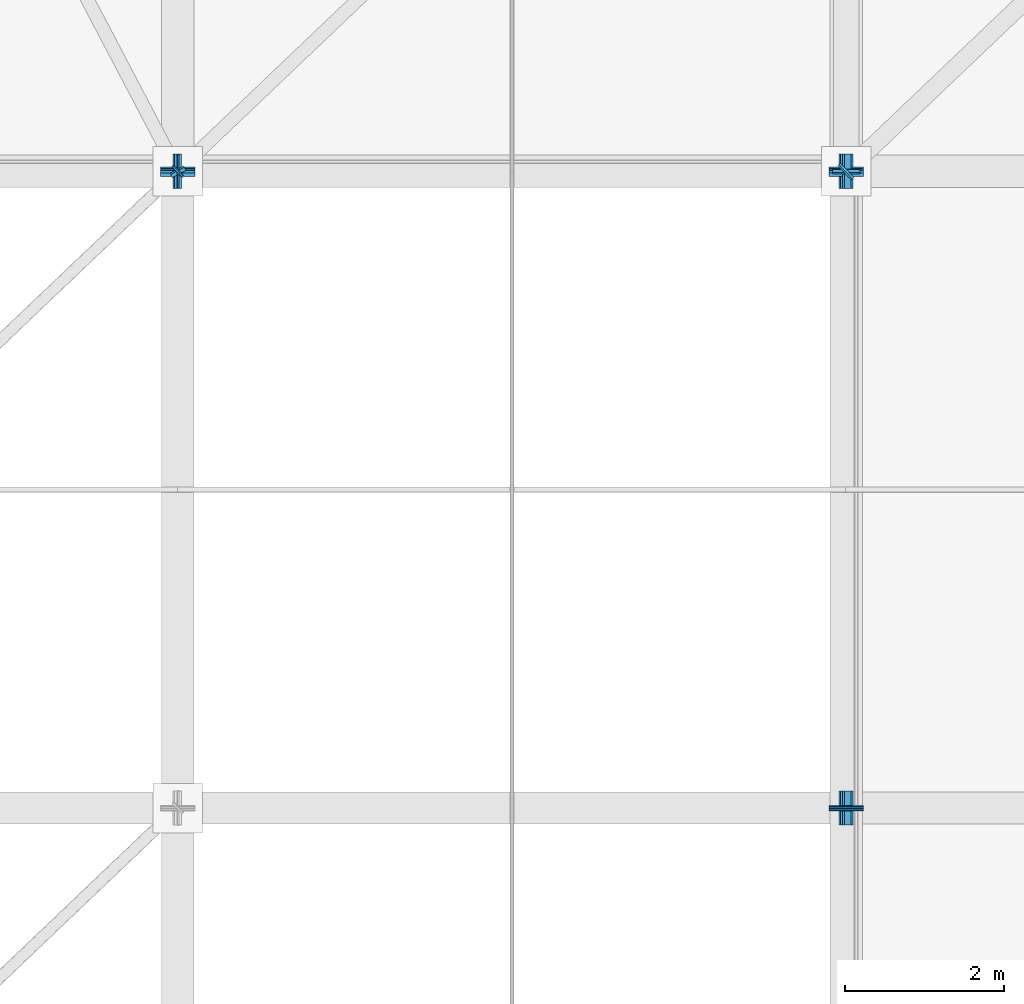
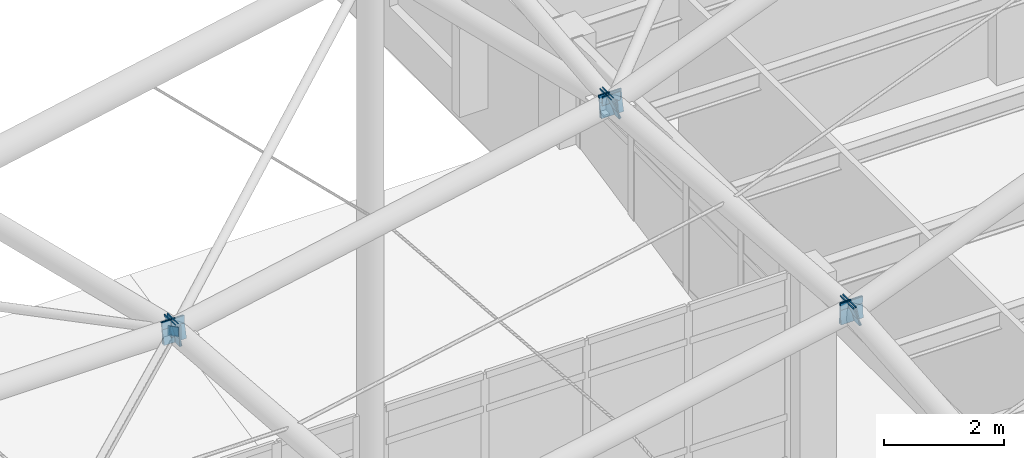
# One storey, part 110 of 138: 17 discrete accessories.
"""IFC4 building model written with IfcOpenShell, lengths in metres."""

from ifc_helpers import new_model, si_unit, direction, frame, origin, origin_2d, place, context, subcontext, project, spatial, rectangle, extrude, material, layer, layer_set, type_object, element, save


model = new_model("IFC4")

# Units and contexts
model_context = context("Model", 3, precision=1e-05, world=origin(), true_north=direction((0.0, 1.0)))
body_context = subcontext(model_context, "Body", "Model", "MODEL_VIEW")
ifc_project = project(units=[si_unit("LENGTHUNIT", "METRE"), si_unit("AREAUNIT", "SQUARE_METRE"), si_unit("VOLUMEUNIT", "CUBIC_METRE"), si_unit("PLANEANGLEUNIT", "RADIAN"), si_unit("MASSUNIT", "GRAM", prefix="KILO")], contexts=[model_context])

# Site, building, storey
site_placement = place(None, origin())
site = spatial("IfcSite", under=ifc_project, at=site_placement, CompositionType="ELEMENT")
building_placement = place(site_placement, origin())
building = spatial("IfcBuilding", under=site, at=building_placement, Name="Kranzveld Transit Interchange", CompositionType="ELEMENT")
storey_placement = place(building_placement, frame((0.0, 0.0, 5.43994140625)))
storey = spatial("IfcBuildingStorey", under=building, at=storey_placement, Name="L01", CompositionType="ELEMENT", Elevation=5.43994140625)

# Discrete accessories
ifc_material = material(Name="Steel S355JR", Category="steel")
ifc_layer = layer(ifc_material, 0.02001953125)
ifc_layer_set = layer_set([ifc_layer], Name="Steel S355JR")
discrete_accessory_type = type_object("IfcDiscreteAccessoryType", Name="Hollow Section End Cap Bracket 20 S355JR", PredefinedType="BRACKET", material=ifc_layer_set)
discrete_accessory_1_placement = place(storey_placement, frame((92.39990234375, 80.00390625, 14.932373046875), z_axis=(0.0, -0.995158089271, -0.098287218693), x_axis=(1.0, 0.0, 0.0)))
element("IfcDiscreteAccessory", 1, at=discrete_accessory_1_placement, inside=storey, type_object=discrete_accessory_type, Name="Hollow Section End Cap ST-CHS324-1", PredefinedType="BRACKET", context=body_context, shape_type="SweptSolid", body=[
    extrude(rectangle(XDim=0.347900390625, YDim=0.347900390625, at=origin_2d()), origin(), (0.0, 0.0, 1.0), 0.019775390625),
])
discrete_accessory_2_placement = place(storey_placement, frame((84.0, 79.99609375, 13.23828125), z_axis=(0.0, 0.997267754457, -0.073871685515), x_axis=(-1.0, 0.0, 0.0)))
element("IfcDiscreteAccessory", 2, at=discrete_accessory_2_placement, inside=storey, type_object=discrete_accessory_type, Name="Hollow Section End Cap B-RIB406-2", PredefinedType="BRACKET", context=body_context, shape_type="SweptSolid", body=[
    extrude(rectangle(XDim=0.430419921875, YDim=0.430419921875, at=origin_2d()), origin(), (0.0, 0.0, 1.0), 0.019775390625),
])
discrete_accessory_3_placement = place(storey_placement, frame((84.0, 80.00390625, 13.237060546875), z_axis=(0.0, -0.970142500145, 0.242535625036), x_axis=(1.0, 0.0, 0.0)))
element("IfcDiscreteAccessory", 3, at=discrete_accessory_3_placement, inside=storey, type_object=discrete_accessory_type, Name="Hollow Section End Cap B-RIB406-1", PredefinedType="BRACKET", context=body_context, shape_type="SweptSolid", body=[
    extrude(rectangle(XDim=0.430419921875, YDim=0.430419921875, at=origin_2d()), origin(), (0.0, 0.0, 1.0), 0.02001953125),
])
for number, where, z_axis, x_axis, name in (
    (4, (92.39990234375, 71.99609375, 15.5517578125), (0.0, 0.996286600035, 0.086098841978), (-1.0, 0.0, 0.0), "Hollow Section End Cap B-RIB406-2"),
    (5, (92.39990234375, 72.00390625, 15.5517578125), (0.0, -0.996286600035, 0.086098841978), (1.0, 0.0, 0.0), "Hollow Section End Cap B-RIB406-1"),
    (6, (92.39990234375, 79.99609375, 14.90234375), (0.0, 0.997267754457, -0.073871685515), (-1.0, 0.0, 0.0), "Hollow Section End Cap B-RIB406-2"),
):
    element("IfcDiscreteAccessory", number, at=place(storey_placement, frame(where, z_axis=z_axis, x_axis=x_axis)), inside=storey, type_object=discrete_accessory_type, Name=name, PredefinedType="BRACKET", context=body_context, shape_type="SweptSolid", body=[
        extrude(rectangle(XDim=0.430419921875, YDim=0.430419921875, at=origin_2d()), origin(), (0.0, 0.0, 1.0), 0.019775390625),
    ])
discrete_accessory_4_placement = place(storey_placement, frame((92.39990234375, 80.00390625, 14.901123046875), z_axis=(0.0, -0.97293655072, 0.231072430796), x_axis=(1.0, 0.0, 0.0)))
element("IfcDiscreteAccessory", 7, at=discrete_accessory_4_placement, inside=storey, type_object=discrete_accessory_type, Name="Hollow Section End Cap B-RIB406-1", PredefinedType="BRACKET", context=body_context, shape_type="SweptSolid", body=[
    extrude(rectangle(XDim=0.430419921875, YDim=0.430419921875, at=origin_2d()), origin(), (0.0, 0.0, 1.0), 0.02001953125),
])
for number, where, z_axis, x_axis, name in (
    (8, (92.39599609375, 72.0, 15.55126953125), (0.981043742203, 0.0, 0.193786418213), (0.0, 1.0, 0.0), "Hollow Section End Cap B-RIB406-2"),
    (9, (92.40380859375, 72.0, 15.553466796875), (-0.931777391985, 0.0, -0.363030152722), (0.0, -1.0, 0.0), "Hollow Section End Cap B-RIB406-1"),
):
    element("IfcDiscreteAccessory", number, at=place(storey_placement, frame(where, z_axis=z_axis, x_axis=x_axis)), inside=storey, type_object=discrete_accessory_type, Name=name, PredefinedType="BRACKET", context=body_context, shape_type="SweptSolid", body=[
        extrude(rectangle(XDim=0.430419921875, YDim=0.430419921875, at=origin_2d()), origin(), (0.0, 0.0, 1.0), 0.020263671875),
    ])
for number, where, z_axis, x_axis, name in (
    (10, (83.99609375, 80.0, 13.238037109375), (1.0, 0.0, 0.0), (0.0, 1.0, 0.0), "Hollow Section End Cap B-RIB406-2"),
    (11, (84.00390625, 80.0, 13.23876953125), (-0.980580675691, 0.0, -0.196116135138), (0.0, -1.0, 0.0), "Hollow Section End Cap B-RIB406-1"),
):
    element("IfcDiscreteAccessory", number, at=place(storey_placement, frame(where, z_axis=z_axis, x_axis=x_axis)), inside=storey, type_object=discrete_accessory_type, Name=name, PredefinedType="BRACKET", context=body_context, shape_type="SweptSolid", body=[
        extrude(rectangle(XDim=0.430419921875, YDim=0.430419921875, at=origin_2d()), origin(), (0.0, 0.0, 1.0), 0.02001953125),
    ])
for number, where, z_axis, x_axis, name in (
    (12, (92.39599609375, 80.0, 14.9013671875), (0.981043742203, 0.0, 0.193786418213), (0.0, 1.0, 0.0), "Hollow Section End Cap B-RIB406-2"),
    (13, (92.40380859375, 80.0, 14.903564453125), (-0.931777391985, 0.0, -0.363030152722), (0.0, -1.0, 0.0), "Hollow Section End Cap B-RIB406-1"),
):
    element("IfcDiscreteAccessory", number, at=place(storey_placement, frame(where, z_axis=z_axis, x_axis=x_axis)), inside=storey, type_object=discrete_accessory_type, Name=name, PredefinedType="BRACKET", context=body_context, shape_type="SweptSolid", body=[
        extrude(rectangle(XDim=0.430419921875, YDim=0.430419921875, at=origin_2d()), origin(), (0.0, 0.0, 1.0), 0.020263671875),
    ])
discrete_accessory_5_placement = place(storey_placement, frame((92.40283203125, 80.002685546875, 14.882568359375), z_axis=(-0.719887010803, -0.683282586524, -0.122014747594), x_axis=(0.688426310031, -0.725306290926, 0.0)))
element("IfcDiscreteAccessory", 14, at=discrete_accessory_5_placement, inside=storey, type_object=discrete_accessory_type, Name="Hollow Section End Cap BR-CHS219-1", PredefinedType="BRACKET", context=body_context, shape_type="SweptSolid", body=[
    extrude(rectangle(XDim=0.2431640625, YDim=0.2431640625, at=origin_2d()), origin(), (0.0, 0.0, 1.0), 0.02001953125),
])
discrete_accessory_6_placement = place(storey_placement, frame((84.0029296875, 80.002685546875, 13.218017578125), z_axis=(-0.725087165153, -0.688218326247, 0.024579225937), x_axis=(0.688426310031, -0.725306290926, 0.0)))
element("IfcDiscreteAccessory", 15, at=discrete_accessory_6_placement, inside=storey, type_object=discrete_accessory_type, Name="Hollow Section End Cap BR-CHS168-1", PredefinedType="BRACKET", context=body_context, shape_type="SweptSolid", body=[
    extrude(rectangle(XDim=0.1923828125, YDim=0.1923828125, at=origin_2d()), origin(), (0.0, 0.0, 1.0), 0.019775390625),
])
discrete_accessory_7_placement = place(storey_placement, frame((83.9970703125, 79.997314453125, 13.21826171875), z_axis=(0.724430977539, 0.687595504105, -0.049113964579), x_axis=(-0.688426310031, 0.725306290926, 0.0)))
element("IfcDiscreteAccessory", 16, at=discrete_accessory_7_placement, inside=storey, type_object=discrete_accessory_type, Name="Hollow Section End Cap BR-SHS150-2", PredefinedType="BRACKET", context=body_context, shape_type="SweptSolid", body=[
    extrude(rectangle(XDim=0.174072265625, YDim=0.174072265625, at=origin_2d()), origin(), (0.0, 0.0, 1.0), 0.019775390625),
])
discrete_accessory_8_placement = place(storey_placement, frame((83.998291015625, 80.00341796875, 13.237060546875), z_axis=(0.45440694448, -0.859688813881, 0.233344106625), x_axis=(0.884094940295, 0.467307325584, 0.0)))
element("IfcDiscreteAccessory", 17, at=discrete_accessory_8_placement, inside=storey, type_object=discrete_accessory_type, Name="Hollow Section End Cap BR-CHS168-1", PredefinedType="BRACKET", context=body_context, shape_type="SweptSolid", body=[
    extrude(rectangle(XDim=0.1923828125, YDim=0.1923828125, at=origin_2d()), origin(), (0.0, 0.0, 1.0), 0.019775390625),
])

save(model, "model.ifc")
